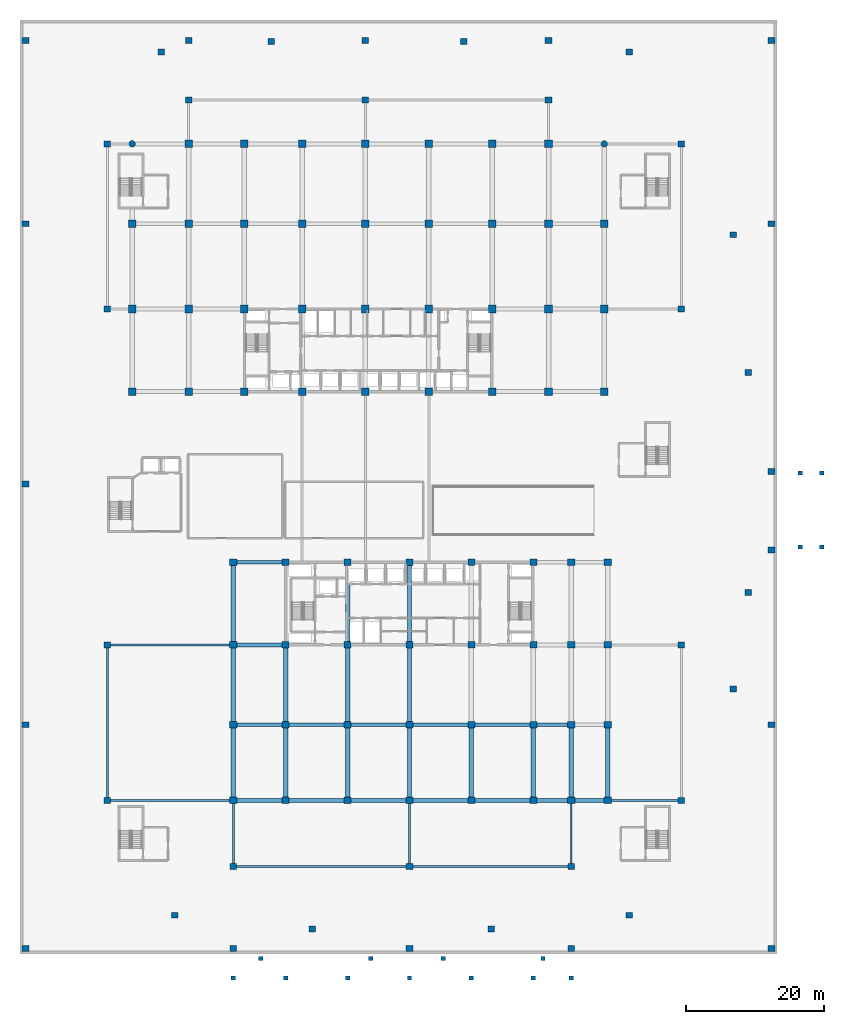
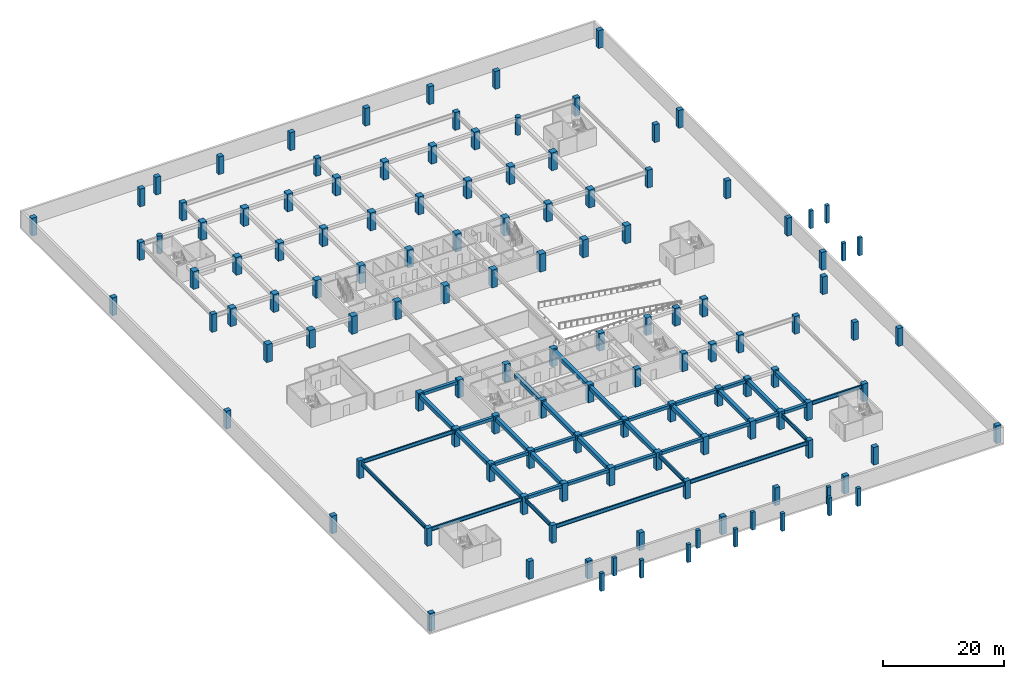
# One storey, part 1 of 22: 126 columns, 39 beams.
"""IFC4 building model written with IfcOpenShell, lengths in metres."""

from ifc_helpers import new_model, si_unit, direction, frame, origin, origin_2d, place, context, subcontext, project, spatial, rectangle, circle, i_section, extrude, material, material_profile, profile_set, type_object, element, save


model = new_model("IFC4")

# Units and contexts
model_context = context("Model", 3, precision=1e-05, world=origin(), true_north=direction((0.0, 1.0)))
body_context = subcontext(model_context, "Body", "Model", "MODEL_VIEW")
ifc_project = project(units=[si_unit("LENGTHUNIT", "METRE"), si_unit("AREAUNIT", "SQUARE_METRE"), si_unit("VOLUMEUNIT", "CUBIC_METRE"), si_unit("PLANEANGLEUNIT", "RADIAN"), si_unit("MASSUNIT", "GRAM", prefix="KILO")], contexts=[model_context])

# Site, building, storey
site_placement = place(None, origin())
site = spatial("IfcSite", under=ifc_project, at=site_placement, CompositionType="ELEMENT")
building_placement = place(site_placement, origin())
building = spatial("IfcBuilding", under=site, at=building_placement, Name="Korimba Cascade Residences", CompositionType="ELEMENT")
storey_placement = place(building_placement, frame((0.0, 0.0, -7.199951171875)))
storey = spatial("IfcBuildingStorey", under=building, at=storey_placement, Name="B02", CompositionType="ELEMENT", Elevation=-7.199951171875)

# Columns
ifc_material_1 = material(Name="Concrete C80/95", Category="concrete")
ifc_material_profile_1 = material_profile(ifc_material_1, rectangle(XDim=1.050048828125, YDim=0.949951171875, at=origin_2d()), Name="Concrete C80/95")
ifc_profile_set_1 = profile_set([ifc_material_profile_1], Name="Concrete C80/95")
column_type_1 = type_object("IfcColumnType", Name="COL-RC-1050", PredefinedType="COLUMN", material=ifc_profile_set_1)
for number, where, z_axis, x_axis, name in (
    (1, (74.5, -4.199951171875, 0.0), (0.0, 0.0, 1.0), (1.0, 0.0, 0.0), "B02 Tower 2 Column 1.1"),
    (2, (74.5, 6.800048828125, 0.0), (0.0, 0.0, 1.0), (1.0, 0.0, 0.0), "B02 Tower 2 Column 1.2"),
    (3, (74.5, 18.39990234375, 0.0), (0.0, 0.0, 1.0), (1.0, 0.0, 0.0), "B02 Tower 2 Column 1.3"),
    (4, (74.5, 30.39990234375, 0.0), (0.0, 0.0, 1.0), (1.0, 0.0, 0.0), "B02 Tower 2 Column 1.4"),
    (5, (82.10009765625, -4.199951171875, 0.0), (0.0, 0.0, 1.0), (1.0, 0.0, 0.0), "B02 Tower 2 Column 2.1"),
    (6, (82.10009765625, 6.800048828125, 0.0), (0.0, 0.0, 1.0), (1.0, 0.0, 0.0), "B02 Tower 2 Column 2.2"),
    (7, (82.10009765625, 18.39990234375, 0.0), (0.0, 0.0, 1.0), (1.0, 0.0, 0.0), "B02 Tower 2 Column 2.3"),
    (8, (82.10009765625, 30.39990234375, 0.0), (0.0, 0.0, 1.0), (1.0, 0.0, 0.0), "B02 Tower 2 Column 2.4"),
    (9, (91.10009765625, -4.199951171875, 0.0), (0.0, 0.0, 1.0), (1.0, 0.0, 0.0), "B02 Tower 2 Column 3.1"),
    (10, (91.10009765625, 6.800048828125, 0.0), (0.0, 0.0, 1.0), (1.0, 0.0, 0.0), "B02 Tower 2 Column 3.2"),
    (11, (91.10009765625, 18.39990234375, 0.0), (0.0, 0.0, 1.0), (1.0, 0.0, 0.0), "B02 Tower 2 Column 3.3"),
    (12, (91.10009765625, 30.39990234375, 0.0), (0.0, 0.0, 1.0), (1.0, 0.0, 0.0), "B02 Tower 2 Column 3.4"),
    (13, (100.10009765625, -4.199951171875, 0.0), (0.0, 0.0, 1.0), (1.0, 0.0, 0.0), "B02 Tower 2 Column 4.1"),
    (14, (100.10009765625, 6.800048828125, 0.0), (0.0, 0.0, 1.0), (1.0, 0.0, 0.0), "B02 Tower 2 Column 4.2"),
    (15, (100.10009765625, 18.39990234375, 0.0), (0.0, 0.0, 1.0), (1.0, 0.0, 0.0), "B02 Tower 2 Column 4.3"),
    (16, (100.10009765625, 30.39990234375, 0.0), (0.0, 0.0, 1.0), (1.0, 0.0, 0.0), "B02 Tower 2 Column 4.4"),
    (17, (109.10009765625, -4.199951171875, 0.0), (0.0, 0.0, 1.0), (1.0, 0.0, 0.0), "B02 Tower 2 Column 5.1"),
    (18, (109.10009765625, 6.800048828125, 0.0), (0.0, 0.0, 1.0), (1.0, 0.0, 0.0), "B02 Tower 2 Column 5.2"),
    (19, (109.10009765625, 18.39990234375, 0.0), (0.0, 0.0, 1.0), (1.0, 0.0, 0.0), "B02 Tower 2 Column 5.3"),
    (20, (109.10009765625, 30.39990234375, 0.0), (0.0, 0.0, 1.0), (1.0, 0.0, 0.0), "B02 Tower 2 Column 5.4"),
    (21, (118.10009765625, -4.199951171875, 0.0), (0.0, 0.0, 1.0), (1.0, 0.0, 0.0), "B02 Tower 2 Column 6.1"),
    (22, (118.10009765625, 6.800048828125, 0.0), (0.0, 0.0, 1.0), (1.0, 0.0, 0.0), "B02 Tower 2 Column 6.2"),
    (23, (118.10009765625, 18.39990234375, 0.0), (0.0, 0.0, 1.0), (1.0, 0.0, 0.0), "B02 Tower 2 Column 6.3"),
    (24, (118.10009765625, 30.39990234375, 0.0), (0.0, 0.0, 1.0), (1.0, 0.0, 0.0), "B02 Tower 2 Column 6.4"),
    (25, (123.60009765625, -4.199951171875, 0.0), (0.0, 0.0, 1.0), (1.0, 0.0, 0.0), "B02 Tower 2 Column 7.1"),
    (26, (123.60009765625, 6.800048828125, 0.0), (0.0, 0.0, 1.0), (1.0, 0.0, 0.0), "B02 Tower 2 Column 7.2"),
    (27, (123.60009765625, 18.39990234375, 0.0), (0.0, 0.0, 1.0), (1.0, 0.0, 0.0), "B02 Tower 2 Column 7.3"),
    (28, (123.60009765625, 30.39990234375, 0.0), (0.0, 0.0, 1.0), (1.0, 0.0, 0.0), "B02 Tower 2 Column 7.4"),
    (29, (128.89990234375, -4.199951171875, 0.0), (0.0, 0.0, 1.0), (1.0, 0.0, 0.0), "B02 Tower 2 Column 8.1"),
    (30, (128.89990234375, 6.800048828125, 0.0), (0.0, 0.0, 1.0), (1.0, 0.0, 0.0), "B02 Tower 2 Column 8.2"),
    (31, (128.89990234375, 18.39990234375, 0.0), (0.0, 0.0, 1.0), (1.0, 0.0, 0.0), "B02 Tower 2 Column 8.3"),
    (32, (128.89990234375, 30.39990234375, 0.0), (0.0, 0.0, 1.0), (1.0, 0.0, 0.0), "B02 Tower 2 Column 8.4"),
):
    element("IfcColumn", number, at=place(storey_placement, frame(where, z_axis=z_axis, x_axis=x_axis)), inside=storey, type_object=column_type_1, Name=name, PredefinedType="COLUMN", context=body_context, shape_type="SweptSolid", body=[
        extrude(rectangle(XDim=1.050048828125, YDim=0.949951171875, at=origin_2d()), origin(), (0.0, 0.0, 1.0), 3.599853515625),
    ])
ifc_material_profile_2 = material_profile(ifc_material_1, rectangle(XDim=1.10009765625, YDim=1.10009765625, at=origin_2d()), Name="Concrete C80/95")
ifc_profile_set_2 = profile_set([ifc_material_profile_2], Name="Concrete C80/95")
column_type_2 = type_object("IfcColumnType", Name="COL-RC-1100", PredefinedType="COLUMN", material=ifc_profile_set_2)
for number, where, z_axis, x_axis, name in (
    (33, (59.800048828125, 55.199951171875, 0.0), (0.0, 0.0, 1.0), (1.0, 0.0, 0.0), "B02 Tower 1 Column 1.1"),
    (34, (59.800048828125, 67.199951171875, 0.0), (0.0, 0.0, 1.0), (1.0, 0.0, 0.0), "B02 Tower 1 Column 1.2"),
    (35, (59.800048828125, 79.60009765625, 0.0), (0.0, 0.0, 1.0), (1.0, 0.0, 0.0), "B02 Tower 1 Column 1.3"),
    (36, (68.0, 55.199951171875, 0.0), (0.0, 0.0, 1.0), (1.0, 0.0, 0.0), "B02 Tower 1 Column 2.1"),
    (37, (68.0, 67.199951171875, 0.0), (0.0, 0.0, 1.0), (1.0, 0.0, 0.0), "B02 Tower 1 Column 2.2"),
    (38, (68.0, 79.60009765625, 0.0), (0.0, 0.0, 1.0), (1.0, 0.0, 0.0), "B02 Tower 1 Column 2.3"),
    (39, (68.0, 91.199951171875, 0.0), (0.0, 0.0, 1.0), (1.0, 0.0, 0.0), "B02 Tower 1 Column 2.4"),
    (40, (76.10009765625, 55.199951171875, 0.0), (0.0, 0.0, 1.0), (1.0, 0.0, 0.0), "B02 Tower 1 Column 3.1"),
    (41, (76.10009765625, 67.199951171875, 0.0), (0.0, 0.0, 1.0), (1.0, 0.0, 0.0), "B02 Tower 1 Column 3.2"),
    (42, (76.10009765625, 79.60009765625, 0.0), (0.0, 0.0, 1.0), (1.0, 0.0, 0.0), "B02 Tower 1 Column 3.3"),
    (43, (76.10009765625, 91.199951171875, 0.0), (0.0, 0.0, 1.0), (1.0, 0.0, 0.0), "B02 Tower 1 Column 3.4"),
    (44, (84.5, 55.199951171875, 0.0), (0.0, 0.0, 1.0), (1.0, 0.0, 0.0), "B02 Tower 1 Column 4.1"),
    (45, (84.5, 67.199951171875, 0.0), (0.0, 0.0, 1.0), (1.0, 0.0, 0.0), "B02 Tower 1 Column 4.2"),
    (46, (84.5, 79.60009765625, 0.0), (0.0, 0.0, 1.0), (1.0, 0.0, 0.0), "B02 Tower 1 Column 4.3"),
    (47, (84.5, 91.199951171875, 0.0), (0.0, 0.0, 1.0), (1.0, 0.0, 0.0), "B02 Tower 1 Column 4.4"),
    (48, (93.699951171875, 55.199951171875, 0.0), (0.0, 0.0, 1.0), (1.0, 0.0, 0.0), "B02 Tower 1 Column 5.1"),
    (49, (93.699951171875, 67.199951171875, 0.0), (0.0, 0.0, 1.0), (1.0, 0.0, 0.0), "B02 Tower 1 Column 5.2"),
    (50, (93.699951171875, 79.60009765625, 0.0), (0.0, 0.0, 1.0), (1.0, 0.0, 0.0), "B02 Tower 1 Column 5.3"),
    (51, (93.699951171875, 91.199951171875, 0.0), (0.0, 0.0, 1.0), (1.0, 0.0, 0.0), "B02 Tower 1 Column 5.4"),
    (52, (102.89990234375, 55.199951171875, 0.0), (0.0, 0.0, 1.0), (1.0, 0.0, 0.0), "B02 Tower 1 Column 6.1"),
    (53, (102.89990234375, 67.199951171875, 0.0), (0.0, 0.0, 1.0), (1.0, 0.0, 0.0), "B02 Tower 1 Column 6.2"),
    (54, (102.89990234375, 79.60009765625, 0.0), (0.0, 0.0, 1.0), (1.0, 0.0, 0.0), "B02 Tower 1 Column 6.3"),
    (55, (102.89990234375, 91.199951171875, 0.0), (0.0, 0.0, 1.0), (1.0, 0.0, 0.0), "B02 Tower 1 Column 6.4"),
    (56, (112.10009765625, 55.199951171875, 0.0), (0.0, 0.0, 1.0), (1.0, 0.0, 0.0), "B02 Tower 1 Column 7.1"),
    (57, (112.10009765625, 67.199951171875, 0.0), (0.0, 0.0, 1.0), (1.0, 0.0, 0.0), "B02 Tower 1 Column 7.2"),
    (58, (112.10009765625, 79.60009765625, 0.0), (0.0, 0.0, 1.0), (1.0, 0.0, 0.0), "B02 Tower 1 Column 7.3"),
    (59, (112.10009765625, 91.199951171875, 0.0), (0.0, 0.0, 1.0), (1.0, 0.0, 0.0), "B02 Tower 1 Column 7.4"),
    (60, (120.300048828125, 55.199951171875, 0.0), (0.0, 0.0, 1.0), (1.0, 0.0, 0.0), "B02 Tower 1 Column 8.1"),
    (61, (120.300048828125, 67.199951171875, 0.0), (0.0, 0.0, 1.0), (1.0, 0.0, 0.0), "B02 Tower 1 Column 8.2"),
    (62, (120.300048828125, 79.60009765625, 0.0), (0.0, 0.0, 1.0), (1.0, 0.0, 0.0), "B02 Tower 1 Column 8.3"),
    (63, (120.300048828125, 91.199951171875, 0.0), (0.0, 0.0, 1.0), (1.0, 0.0, 0.0), "B02 Tower 1 Column 8.4"),
    (64, (128.39990234375, 55.199951171875, 0.0), (0.0, 0.0, 1.0), (1.0, 0.0, 0.0), "B02 Tower 1 Column 9.1"),
    (65, (128.39990234375, 67.199951171875, 0.0), (0.0, 0.0, 1.0), (1.0, 0.0, 0.0), "B02 Tower 1 Column 9.2"),
    (66, (128.39990234375, 79.60009765625, 0.0), (0.0, 0.0, 1.0), (1.0, 0.0, 0.0), "B02 Tower 1 Column 9.3"),
):
    element("IfcColumn", number, at=place(storey_placement, frame(where, z_axis=z_axis, x_axis=x_axis)), inside=storey, type_object=column_type_2, Name=name, PredefinedType="COLUMN", context=body_context, shape_type="SweptSolid", body=[
        extrude(rectangle(XDim=1.10009765625, YDim=1.10009765625, at=origin_2d()), origin(), (0.0, 0.0, 1.0), 3.599853515625),
    ])
ifc_material_2 = material(Name="Concrete C50/60", Category="concrete")
ifc_material_profile_3 = material_profile(ifc_material_2, rectangle(XDim=0.64990234375, YDim=0.60009765625, at=origin_2d()), Name="Concrete C50/60")
ifc_profile_set_3 = profile_set([ifc_material_profile_3], Name="Concrete C50/60")
column_type_3 = type_object("IfcColumnType", Name="COL-RC-650", PredefinedType="COLUMN", material=ifc_profile_set_3)
for number, where, z_axis, x_axis, name in (
    (67, (74.5, -30.0, 0.0), (0.0, 0.0, 1.0), (1.0, 0.0, 0.0), "B02 Porte-Cochere Sub-Pier 1"),
    (68, (82.10009765625, -30.0, 0.0), (0.0, 0.0, 1.0), (1.0, 0.0, 0.0), "B02 Porte-Cochere Sub-Pier 2"),
    (69, (91.10009765625, -30.0, 0.0), (0.0, 0.0, 1.0), (1.0, 0.0, 0.0), "B02 Porte-Cochere Sub-Pier 3"),
    (70, (100.10009765625, -30.0, 0.0), (0.0, 0.0, 1.0), (1.0, 0.0, 0.0), "B02 Porte-Cochere Sub-Pier 4"),
    (71, (109.10009765625, -30.0, 0.0), (0.0, 0.0, 1.0), (1.0, 0.0, 0.0), "B02 Porte-Cochere Sub-Pier 5"),
    (72, (118.10009765625, -30.0, 0.0), (0.0, 0.0, 1.0), (1.0, 0.0, 0.0), "B02 Porte-Cochere Sub-Pier 6"),
    (73, (123.60009765625, -30.0, 0.0), (0.0, 0.0, 1.0), (1.0, 0.0, 0.0), "B02 Porte-Cochere Sub-Pier 7"),
    (74, (156.89990234375, 32.60009765625, 0.0), (0.0, 0.0, 1.0), (1.0, 0.0, 0.0), "B02 Plaza Sub-Pier APR1"),
    (75, (156.89990234375, 43.39990234375, 0.0), (0.0, 0.0, 1.0), (1.0, 0.0, 0.0), "B02 Plaza Sub-Pier APR2"),
    (76, (160.0, 32.60009765625, 0.0), (0.0, 0.0, 1.0), (1.0, 0.0, 0.0), "B02 Plaza Sub-Pier APR3"),
    (77, (160.0, 43.39990234375, 0.0), (0.0, 0.0, 1.0), (1.0, 0.0, 0.0), "B02 Plaza Sub-Pier APR4"),
    (78, (78.5, -27.199951171875, 0.0), (0.0, 0.0, 1.0), (1.0, 0.0, 0.0), "B02 Plaza Sub-Pier PLZS1A"),
    (79, (94.5, -27.199951171875, 0.0), (0.0, 0.0, 1.0), (1.0, 0.0, 0.0), "B02 Plaza Sub-Pier PLZS1B"),
    (80, (105.0, -27.199951171875, 0.0), (0.0, 0.0, 1.0), (1.0, 0.0, 0.0), "B02 Plaza Sub-Pier PLZS2A"),
    (81, (119.5, -27.199951171875, 0.0), (0.0, 0.0, 1.0), (1.0, 0.0, 0.0), "B02 Plaza Sub-Pier PLZS2B"),
):
    element("IfcColumn", number, at=place(storey_placement, frame(where, z_axis=z_axis, x_axis=x_axis)), inside=storey, type_object=column_type_3, Name=name, PredefinedType="COLUMN", context=body_context, shape_type="SweptSolid", body=[
        extrude(rectangle(XDim=0.64990234375, YDim=0.60009765625, at=origin_2d()), origin(), (0.0, 0.0, 1.0), 3.599853515625),
    ])
ifc_material_3 = material(Name="Concrete C65/80", Category="concrete")
ifc_material_profile_4 = material_profile(ifc_material_3, rectangle(XDim=0.949951171875, YDim=0.85009765625, at=origin_2d()), Name="Concrete C65/80")
ifc_profile_set_4 = profile_set([ifc_material_profile_4], Name="Concrete C65/80")
column_type_4 = type_object("IfcColumnType", Name="COL-RC-950", PredefinedType="COLUMN", material=ifc_profile_set_4)
for number, where, z_axis, x_axis, name in (
    (82, (56.199951171875, -4.199951171875, 0.0), (0.0, 0.0, 1.0), (1.0, 0.0, 0.0), "B02 Podium Column PCW1"),
    (83, (56.199951171875, 18.39990234375, 0.0), (0.0, 0.0, 1.0), (1.0, 0.0, 0.0), "B02 Podium Column PCW2"),
    (84, (56.199951171875, 67.199951171875, 0.0), (0.0, 0.0, 1.0), (1.0, 0.0, 0.0), "B02 Podium Column PCW3"),
    (85, (56.199951171875, 91.199951171875, 0.0), (0.0, 0.0, 1.0), (1.0, 0.0, 0.0), "B02 Podium Column PCW4"),
    (86, (139.60009765625, -4.199951171875, 0.0), (0.0, 0.0, 1.0), (1.0, 0.0, 0.0), "B02 Podium Column PCE1"),
    (87, (139.60009765625, 18.39990234375, 0.0), (0.0, 0.0, 1.0), (1.0, 0.0, 0.0), "B02 Podium Column PCE2"),
    (88, (139.60009765625, 67.199951171875, 0.0), (0.0, 0.0, 1.0), (1.0, 0.0, 0.0), "B02 Podium Column PCE3"),
    (89, (139.60009765625, 91.199951171875, 0.0), (0.0, 0.0, 1.0), (1.0, 0.0, 0.0), "B02 Podium Column PCE4"),
    (90, (74.5, -13.800048828125, 0.0), (0.0, 0.0, 1.0), (1.0, 0.0, 0.0), "B02 Podium Column PCS1"),
    (91, (100.10009765625, -13.800048828125, 0.0), (0.0, 0.0, 1.0), (1.0, 0.0, 0.0), "B02 Podium Column PCS2"),
    (92, (123.60009765625, -13.800048828125, 0.0), (0.0, 0.0, 1.0), (1.0, 0.0, 0.0), "B02 Podium Column PCS3"),
    (93, (68.0, 97.60009765625, 0.0), (0.0, 0.0, 1.0), (1.0, 0.0, 0.0), "B02 Podium Column PCN1"),
    (94, (93.699951171875, 97.60009765625, 0.0), (0.0, 0.0, 1.0), (1.0, 0.0, 0.0), "B02 Podium Column PCN2"),
    (95, (120.300048828125, 97.60009765625, 0.0), (0.0, 0.0, 1.0), (1.0, 0.0, 0.0), "B02 Podium Column PCN3"),
    (96, (86.0, -22.89990234375, 0.0), (0.0, 0.0, 1.0), (1.0, 0.0, 0.0), "B02 Podium Column PTS1"),
    (97, (112.0, -22.89990234375, 0.0), (0.0, 0.0, 1.0), (1.0, 0.0, 0.0), "B02 Podium Column PTS2"),
    (98, (66.0, -20.89990234375, 0.0), (0.0, 0.0, 1.0), (1.0, 0.0, 0.0), "B02 Podium Column PTS3"),
    (99, (132.0, -20.89990234375, 0.0), (0.0, 0.0, 1.0), (1.0, 0.0, 0.0), "B02 Podium Column PTS4"),
    (100, (80.0, 106.10009765625, 0.0), (0.0, 0.0, 1.0), (1.0, 0.0, 0.0), "B02 Podium Column PTN1"),
    (101, (108.0, 106.10009765625, 0.0), (0.0, 0.0, 1.0), (1.0, 0.0, 0.0), "B02 Podium Column PTN2"),
    (102, (64.0, 104.550048828125, 0.0), (0.0, 0.0, 1.0), (1.0, 0.0, 0.0), "B02 Podium Column PTN3"),
    (103, (132.0, 104.550048828125, 0.0), (0.0, 0.0, 1.0), (1.0, 0.0, 0.0), "B02 Podium Column PTN4"),
    (104, (149.300048828125, 26.0, 0.0), (0.0, 0.0, 1.0), (1.0, 0.0, 0.0), "B02 Podium Column PTE1"),
    (105, (149.300048828125, 58.0, 0.0), (0.0, 0.0, 1.0), (1.0, 0.0, 0.0), "B02 Podium Column PTE2"),
    (106, (147.14990234375, 12.0, 0.0), (0.0, 0.0, 1.0), (1.0, 0.0, 0.0), "B02 Podium Column PTE3"),
    (107, (147.14990234375, 78.0, 0.0), (0.0, 0.0, 1.0), (1.0, 0.0, 0.0), "B02 Podium Column PTE4"),
    (108, (44.300048828125, -25.699951171875, 0.0), (0.0, 0.0, 1.0), (1.0, 0.0, 0.0), "B02 Podium Column PLW1"),
    (109, (44.300048828125, 6.800048828125, 0.0), (0.0, 0.0, 1.0), (1.0, 0.0, 0.0), "B02 Podium Column PLW2"),
    (110, (44.300048828125, 41.800048828125, 0.0), (0.0, 0.0, 1.0), (1.0, 0.0, 0.0), "B02 Podium Column PLW3"),
    (111, (44.300048828125, 79.60009765625, 0.0), (0.0, 0.0, 1.0), (1.0, 0.0, 0.0), "B02 Podium Column PLW4"),
    (112, (44.300048828125, 106.199951171875, 0.0), (0.0, 0.0, 1.0), (1.0, 0.0, 0.0), "B02 Podium Column PLW5"),
    (113, (152.699951171875, -25.699951171875, 0.0), (0.0, 0.0, 1.0), (1.0, 0.0, 0.0), "B02 Podium Column PLE1"),
    (114, (152.699951171875, 6.800048828125, 0.0), (0.0, 0.0, 1.0), (1.0, 0.0, 0.0), "B02 Podium Column PLE2"),
    (115, (152.699951171875, 32.199951171875, 0.0), (0.0, 0.0, 1.0), (1.0, 0.0, 0.0), "B02 Podium Column PLE3"),
    (116, (152.699951171875, 43.60009765625, 0.0), (0.0, 0.0, 1.0), (1.0, 0.0, 0.0), "B02 Podium Column PLE4"),
    (117, (152.699951171875, 79.60009765625, 0.0), (0.0, 0.0, 1.0), (1.0, 0.0, 0.0), "B02 Podium Column PLE5"),
    (118, (152.699951171875, 106.199951171875, 0.0), (0.0, 0.0, 1.0), (1.0, 0.0, 0.0), "B02 Podium Column PLE6"),
    (119, (74.5, -25.699951171875, 0.0), (0.0, 0.0, 1.0), (1.0, 0.0, 0.0), "B02 Podium Column PLS1"),
    (120, (100.10009765625, -25.699951171875, 0.0), (0.0, 0.0, 1.0), (1.0, 0.0, 0.0), "B02 Podium Column PLS2"),
    (121, (123.60009765625, -25.699951171875, 0.0), (0.0, 0.0, 1.0), (1.0, 0.0, 0.0), "B02 Podium Column PLS3"),
    (122, (68.0, 106.199951171875, 0.0), (0.0, 0.0, 1.0), (1.0, 0.0, 0.0), "B02 Podium Column PLN1"),
    (123, (93.699951171875, 106.199951171875, 0.0), (0.0, 0.0, 1.0), (1.0, 0.0, 0.0), "B02 Podium Column PLN2"),
    (124, (120.300048828125, 106.199951171875, 0.0), (0.0, 0.0, 1.0), (1.0, 0.0, 0.0), "B02 Podium Column PLN3"),
):
    element("IfcColumn", number, at=place(storey_placement, frame(where, z_axis=z_axis, x_axis=x_axis)), inside=storey, type_object=column_type_4, Name=name, PredefinedType="COLUMN", context=body_context, shape_type="SweptSolid", body=[
        extrude(rectangle(XDim=0.949951171875, YDim=0.85009765625, at=origin_2d()), origin(), (0.0, 0.0, 1.0), 3.599853515625),
    ])
ifc_material_profile_5 = material_profile(ifc_material_1, circle(Radius=0.47509765625, at=origin_2d()), Name="Concrete C80/95")
ifc_profile_set_5 = profile_set([ifc_material_profile_5], Name="Concrete C80/95")
column_type_5 = type_object("IfcColumnType", Name="COL-RC-D950", PredefinedType="COLUMN", material=ifc_profile_set_5)
for number, where, z_axis, x_axis, name in (
    (125, (59.800048828125, 91.199951171875, 0.0), (0.0, 0.0, 1.0), (1.0, 0.0, 0.0), "B02 Tower 1 Column 1.4"),
    (126, (128.39990234375, 91.199951171875, 0.0), (0.0, 0.0, 1.0), (1.0, 0.0, 0.0), "B02 Tower 1 Column 9.4"),
):
    element("IfcColumn", number, at=place(storey_placement, frame(where, z_axis=z_axis, x_axis=x_axis)), inside=storey, type_object=column_type_5, Name=name, PredefinedType="COLUMN", context=body_context, shape_type="SweptSolid", body=[
        extrude(circle(Radius=0.47509765625, at=origin_2d()), origin(), (0.0, 0.0, 1.0), 3.599853515625),
    ])

# Beams
ifc_material_profile_6 = material_profile(ifc_material_2, rectangle(XDim=0.550048828125, YDim=0.60009765625, at=origin_2d()), Name="Concrete C50/60")
ifc_profile_set_6 = profile_set([ifc_material_profile_6], Name="Concrete C50/60")
beam_type_1 = type_object("IfcBeamType", Name="BM-RC-B600", PredefinedType="BEAM", material=ifc_profile_set_6)
beam_1_placement = place(storey_placement, frame((75.02490234375, -4.199951171875, 3.0), z_axis=(1.0, 0.0, 0.0), x_axis=(0.0, 1.0, 0.0)))
element("IfcBeam", 127, at=beam_1_placement, inside=storey, type_object=beam_type_1, Name="B02 T2 E-W Girder Y1 Bay 1", PredefinedType="BEAM", context=body_context, shape_type="SweptSolid", body=[
    extrude(rectangle(XDim=0.550048828125, YDim=0.60009765625, at=origin_2d()), origin(), (0.0, 0.0, 1.0), 6.550048828125),
])
for number, where, z_axis, x_axis, name in (
    (128, (82.625, -4.199951171875, 3.0), (1.0, 0.0, 0.0), (0.0, 1.0, 0.0), "B02 T2 E-W Girder Y1 Bay 2"),
    (129, (91.625, -4.199951171875, 3.0), (1.0, 0.0, 0.0), (0.0, 1.0, 0.0), "B02 T2 E-W Girder Y1 Bay 3"),
    (130, (100.625, -4.199951171875, 3.0), (1.0, 0.0, 0.0), (0.0, 1.0, 0.0), "B02 T2 E-W Girder Y1 Bay 4"),
    (131, (109.625, -4.199951171875, 3.0), (1.0, 0.0, 0.0), (0.0, 1.0, 0.0), "B02 T2 E-W Girder Y1 Bay 5"),
):
    element("IfcBeam", number, at=place(storey_placement, frame(where, z_axis=z_axis, x_axis=x_axis)), inside=storey, type_object=beam_type_1, Name=name, PredefinedType="BEAM", context=body_context, shape_type="SweptSolid", body=[
        extrude(rectangle(XDim=0.550048828125, YDim=0.60009765625, at=origin_2d()), origin(), (0.0, 0.0, 1.0), 7.949951171875),
    ])
beam_2_placement = place(storey_placement, frame((118.625, -4.199951171875, 3.0), z_axis=(1.0, 0.0, 0.0), x_axis=(0.0, 1.0, 0.0)))
element("IfcBeam", 132, at=beam_2_placement, inside=storey, type_object=beam_type_1, Name="B02 T2 E-W Girder Y1 Bay 6", PredefinedType="BEAM", context=body_context, shape_type="SweptSolid", body=[
    extrude(rectangle(XDim=0.550048828125, YDim=0.60009765625, at=origin_2d()), origin(), (0.0, 0.0, 1.0), 4.449951171875),
])
beam_3_placement = place(storey_placement, frame((124.125, -4.199951171875, 3.0), z_axis=(1.0, 0.0, 0.0), x_axis=(0.0, 1.0, 0.0)))
element("IfcBeam", 133, at=beam_3_placement, inside=storey, type_object=beam_type_1, Name="B02 T2 E-W Girder Y1 Bay 7", PredefinedType="BEAM", context=body_context, shape_type="SweptSolid", body=[
    extrude(rectangle(XDim=0.550048828125, YDim=0.60009765625, at=origin_2d()), origin(), (0.0, 0.0, 1.0), 4.25),
])
beam_4_placement = place(storey_placement, frame((75.02490234375, 6.800048828125, 3.0), z_axis=(1.0, 0.0, 0.0), x_axis=(0.0, 1.0, 0.0)))
element("IfcBeam", 134, at=beam_4_placement, inside=storey, type_object=beam_type_1, Name="B02 T2 E-W Girder Y2 Bay 1", PredefinedType="BEAM", context=body_context, shape_type="SweptSolid", body=[
    extrude(rectangle(XDim=0.550048828125, YDim=0.60009765625, at=origin_2d()), origin(), (0.0, 0.0, 1.0), 6.550048828125),
])
for number, where, z_axis, x_axis, name in (
    (135, (82.625, 6.800048828125, 3.0), (1.0, 0.0, 0.0), (0.0, 1.0, 0.0), "B02 T2 E-W Girder Y2 Bay 2"),
    (136, (91.625, 6.800048828125, 3.0), (1.0, 0.0, 0.0), (0.0, 1.0, 0.0), "B02 T2 E-W Girder Y2 Bay 3"),
    (137, (100.625, 6.800048828125, 3.0), (1.0, 0.0, 0.0), (0.0, 1.0, 0.0), "B02 T2 E-W Girder Y2 Bay 4"),
    (138, (109.625, 6.800048828125, 3.0), (1.0, 0.0, 0.0), (0.0, 1.0, 0.0), "B02 T2 E-W Girder Y2 Bay 5"),
):
    element("IfcBeam", number, at=place(storey_placement, frame(where, z_axis=z_axis, x_axis=x_axis)), inside=storey, type_object=beam_type_1, Name=name, PredefinedType="BEAM", context=body_context, shape_type="SweptSolid", body=[
        extrude(rectangle(XDim=0.550048828125, YDim=0.60009765625, at=origin_2d()), origin(), (0.0, 0.0, 1.0), 7.949951171875),
    ])
beam_5_placement = place(storey_placement, frame((118.625, 6.800048828125, 3.0), z_axis=(1.0, 0.0, 0.0), x_axis=(0.0, 1.0, 0.0)))
element("IfcBeam", 139, at=beam_5_placement, inside=storey, type_object=beam_type_1, Name="B02 T2 E-W Girder Y2 Bay 6", PredefinedType="BEAM", context=body_context, shape_type="SweptSolid", body=[
    extrude(rectangle(XDim=0.550048828125, YDim=0.60009765625, at=origin_2d()), origin(), (0.0, 0.0, 1.0), 4.449951171875),
])
for number, where, z_axis, x_axis, name in (
    (140, (75.02490234375, 18.39990234375, 3.0), (1.0, 0.0, 0.0), (0.0, 1.0, 0.0), "B02 T2 E-W Girder Y3 Bay 1"),
    (141, (75.02490234375, 30.39990234375, 3.0), (1.0, 0.0, 0.0), (0.0, 1.0, 0.0), "B02 T2 E-W Girder Y4 Bay 1"),
):
    element("IfcBeam", number, at=place(storey_placement, frame(where, z_axis=z_axis, x_axis=x_axis)), inside=storey, type_object=beam_type_1, Name=name, PredefinedType="BEAM", context=body_context, shape_type="SweptSolid", body=[
        extrude(rectangle(XDim=0.550048828125, YDim=0.60009765625, at=origin_2d()), origin(), (0.0, 0.0, 1.0), 6.550048828125),
    ])
ifc_material_profile_7 = material_profile(ifc_material_2, rectangle(XDim=0.64990234375, YDim=0.75, at=origin_2d()), Name="Concrete C50/60")
ifc_profile_set_7 = profile_set([ifc_material_profile_7], Name="Concrete C50/60")
beam_type_2 = type_object("IfcBeamType", Name="BM-RC-G750", PredefinedType="BEAM", material=ifc_profile_set_7)
beam_6_placement = place(storey_placement, frame((74.5, -3.72509765625, 2.925048828125), z_axis=(0.0, 1.0, 0.0), x_axis=(-1.0, 0.0, 0.0)))
element("IfcBeam", 142, at=beam_6_placement, inside=storey, type_object=beam_type_2, Name="B02 T2 N-S Girder X1 Seg 1", PredefinedType="BEAM", context=body_context, shape_type="SweptSolid", body=[
    extrude(rectangle(XDim=0.64990234375, YDim=0.75, at=origin_2d()), origin(), (0.0, 0.0, 1.0), 10.050048828125),
])
beam_7_placement = place(storey_placement, frame((74.5, 7.27490234375, 2.925048828125), z_axis=(0.0, 1.0, 0.0), x_axis=(-1.0, 0.0, 0.0)))
element("IfcBeam", 143, at=beam_7_placement, inside=storey, type_object=beam_type_2, Name="B02 T2 N-S Girder X1 Seg 2", PredefinedType="BEAM", context=body_context, shape_type="SweptSolid", body=[
    extrude(rectangle(XDim=0.64990234375, YDim=0.75, at=origin_2d()), origin(), (0.0, 0.0, 1.0), 10.650146484375),
])
beam_8_placement = place(storey_placement, frame((74.5, 18.875, 2.925048828125), z_axis=(0.0, 1.0, 0.0), x_axis=(-1.0, 0.0, 0.0)))
element("IfcBeam", 144, at=beam_8_placement, inside=storey, type_object=beam_type_2, Name="B02 T2 N-S Girder X1 Seg 3", PredefinedType="BEAM", context=body_context, shape_type="SweptSolid", body=[
    extrude(rectangle(XDim=0.64990234375, YDim=0.75, at=origin_2d()), origin(), (0.0, 0.0, 1.0), 11.050048828125),
])
beam_9_placement = place(storey_placement, frame((82.10009765625, -3.72509765625, 2.925048828125), z_axis=(0.0, 1.0, 0.0), x_axis=(-1.0, 0.0, 0.0)))
element("IfcBeam", 145, at=beam_9_placement, inside=storey, type_object=beam_type_2, Name="B02 T2 N-S Girder X2 Seg 1", PredefinedType="BEAM", context=body_context, shape_type="SweptSolid", body=[
    extrude(rectangle(XDim=0.64990234375, YDim=0.75, at=origin_2d()), origin(), (0.0, 0.0, 1.0), 10.050048828125),
])
beam_10_placement = place(storey_placement, frame((82.10009765625, 7.27490234375, 2.925048828125), z_axis=(0.0, 1.0, 0.0), x_axis=(-1.0, 0.0, 0.0)))
element("IfcBeam", 146, at=beam_10_placement, inside=storey, type_object=beam_type_2, Name="B02 T2 N-S Girder X2 Seg 2", PredefinedType="BEAM", context=body_context, shape_type="SweptSolid", body=[
    extrude(rectangle(XDim=0.64990234375, YDim=0.75, at=origin_2d()), origin(), (0.0, 0.0, 1.0), 10.650146484375),
])
beam_11_placement = place(storey_placement, frame((91.10009765625, -3.72509765625, 2.925048828125), z_axis=(0.0, 1.0, 0.0), x_axis=(-1.0, 0.0, 0.0)))
element("IfcBeam", 147, at=beam_11_placement, inside=storey, type_object=beam_type_2, Name="B02 T2 N-S Girder X3 Seg 1", PredefinedType="BEAM", context=body_context, shape_type="SweptSolid", body=[
    extrude(rectangle(XDim=0.64990234375, YDim=0.75, at=origin_2d()), origin(), (0.0, 0.0, 1.0), 10.050048828125),
])
beam_12_placement = place(storey_placement, frame((91.10009765625, 7.27490234375, 2.925048828125), z_axis=(0.0, 1.0, 0.0), x_axis=(-1.0, 0.0, 0.0)))
element("IfcBeam", 148, at=beam_12_placement, inside=storey, type_object=beam_type_2, Name="B02 T2 N-S Girder X3 Seg 2", PredefinedType="BEAM", context=body_context, shape_type="SweptSolid", body=[
    extrude(rectangle(XDim=0.64990234375, YDim=0.75, at=origin_2d()), origin(), (0.0, 0.0, 1.0), 10.650146484375),
])
beam_13_placement = place(storey_placement, frame((91.10009765625, 18.875, 2.925048828125), z_axis=(0.0, 1.0, 0.0), x_axis=(-1.0, 0.0, 0.0)))
element("IfcBeam", 149, at=beam_13_placement, inside=storey, type_object=beam_type_2, Name="B02 T2 N-S Girder X3 Seg 3", PredefinedType="BEAM", context=body_context, shape_type="SweptSolid", body=[
    extrude(rectangle(XDim=0.64990234375, YDim=0.75, at=origin_2d()), origin(), (0.0, 0.0, 1.0), 8.465087890625),
])
beam_14_placement = place(storey_placement, frame((100.10009765625, -3.72509765625, 2.925048828125), z_axis=(0.0, 1.0, 0.0), x_axis=(-1.0, 0.0, 0.0)))
element("IfcBeam", 150, at=beam_14_placement, inside=storey, type_object=beam_type_2, Name="B02 T2 N-S Girder X4 Seg 1", PredefinedType="BEAM", context=body_context, shape_type="SweptSolid", body=[
    extrude(rectangle(XDim=0.64990234375, YDim=0.75, at=origin_2d()), origin(), (0.0, 0.0, 1.0), 10.050048828125),
])
beam_15_placement = place(storey_placement, frame((100.10009765625, 7.27490234375, 2.925048828125), z_axis=(0.0, 1.0, 0.0), x_axis=(-1.0, 0.0, 0.0)))
element("IfcBeam", 151, at=beam_15_placement, inside=storey, type_object=beam_type_2, Name="B02 T2 N-S Girder X4 Seg 2", PredefinedType="BEAM", context=body_context, shape_type="SweptSolid", body=[
    extrude(rectangle(XDim=0.64990234375, YDim=0.75, at=origin_2d()), origin(), (0.0, 0.0, 1.0), 10.650146484375),
])
beam_16_placement = place(storey_placement, frame((100.10009765625, 18.875, 2.925048828125), z_axis=(0.0, 1.0, 0.0), x_axis=(-1.0, 0.0, 0.0)))
element("IfcBeam", 152, at=beam_16_placement, inside=storey, type_object=beam_type_2, Name="B02 T2 N-S Girder X4 Seg 3", PredefinedType="BEAM", context=body_context, shape_type="SweptSolid", body=[
    extrude(rectangle(XDim=0.64990234375, YDim=0.75, at=origin_2d()), origin(), (0.0, 0.0, 1.0), 11.050048828125),
])
for number, where, z_axis, x_axis, name in (
    (153, (109.10009765625, -3.72509765625, 2.925048828125), (0.0, 1.0, 0.0), (-1.0, 0.0, 0.0), "B02 T2 N-S Girder X5 Seg 1"),
    (154, (118.10009765625, -3.72509765625, 2.925048828125), (0.0, 1.0, 0.0), (-1.0, 0.0, 0.0), "B02 T2 N-S Girder X6 Seg 1"),
    (155, (123.60009765625, -3.72509765625, 2.925048828125), (0.0, 1.0, 0.0), (-1.0, 0.0, 0.0), "B02 T2 N-S Girder X7 Seg 1"),
    (156, (128.89990234375, -3.72509765625, 2.925048828125), (0.0, 1.0, 0.0), (-1.0, 0.0, 0.0), "B02 T2 N-S Girder X8 Seg 1"),
):
    element("IfcBeam", number, at=place(storey_placement, frame(where, z_axis=z_axis, x_axis=x_axis)), inside=storey, type_object=beam_type_2, Name=name, PredefinedType="BEAM", context=body_context, shape_type="SweptSolid", body=[
        extrude(rectangle(XDim=0.64990234375, YDim=0.75, at=origin_2d()), origin(), (0.0, 0.0, 1.0), 10.050048828125),
    ])
ifc_material_4 = material(Name="Steel S355", Category="steel")
ifc_material_profile_8 = material_profile(ifc_material_4, i_section(OverallWidth=0.26806640625, OverallDepth=0.769775390625, WebThickness=0.015625, FlangeThickness=0.025390625, FilletRadius=0.0166015625, at=origin_2d()), Name="Steel S355")
ifc_profile_set_8 = profile_set([ifc_material_profile_8], Name="Steel S355")
beam_type_3 = type_object("IfcBeamType", Name="BM-STL-UB762", PredefinedType="BEAM", material=ifc_profile_set_8)
for number, where, z_axis, x_axis, name in (
    (157, (56.675048828125, -4.199951171875, 2.9150390625), (1.0, 0.0, 0.0), (0.0, 1.0, 0.0), "B02 Podium Frame Girder W1"),
    (158, (56.675048828125, 18.39990234375, 2.9150390625), (1.0, 0.0, 0.0), (0.0, 1.0, 0.0), "B02 Podium Frame Girder W2"),
):
    element("IfcBeam", number, at=place(storey_placement, frame(where, z_axis=z_axis, x_axis=x_axis)), inside=storey, type_object=beam_type_3, Name=name, PredefinedType="BEAM", context=body_context, shape_type="SweptSolid", body=[
        extrude(i_section(OverallWidth=0.26806640625, OverallDepth=0.769775390625, WebThickness=0.015625, FlangeThickness=0.025390625, FilletRadius=0.0166015625, at=origin_2d()), origin(), (0.0, 0.0, 1.0), 17.300048828125),
    ])
beam_17_placement = place(storey_placement, frame((56.199951171875, -3.77490234375, 2.9150390625), z_axis=(0.0, 1.0, 0.0), x_axis=(-1.0, 0.0, 0.0)))
element("IfcBeam", 159, at=beam_17_placement, inside=storey, type_object=beam_type_3, Name="B02 Podium Frame Girder WN", PredefinedType="BEAM", context=body_context, shape_type="SweptSolid", body=[
    extrude(i_section(OverallWidth=0.26806640625, OverallDepth=0.769775390625, WebThickness=0.015625, FlangeThickness=0.025390625, FilletRadius=0.0166015625, at=origin_2d()), origin(), (0.0, 0.0, 1.0), 21.75),
])
beam_18_placement = place(storey_placement, frame((129.425048828125, -4.199951171875, 2.9150390625), z_axis=(1.0, 0.0, 0.0), x_axis=(0.0, 1.0, 0.0)))
element("IfcBeam", 160, at=beam_18_placement, inside=storey, type_object=beam_type_3, Name="B02 Podium Frame Girder E1", PredefinedType="BEAM", context=body_context, shape_type="SweptSolid", body=[
    extrude(i_section(OverallWidth=0.26806640625, OverallDepth=0.769775390625, WebThickness=0.015625, FlangeThickness=0.025390625, FilletRadius=0.0166015625, at=origin_2d()), origin(), (0.0, 0.0, 1.0), 9.699951171875),
])
for number, where, z_axis, x_axis, name in (
    (161, (74.5, -13.375, 2.9150390625), (0.0, 1.0, 0.0), (-1.0, 0.0, 0.0), "B02 Podium Frame Girder S1"),
    (162, (100.10009765625, -13.375, 2.9150390625), (0.0, 1.0, 0.0), (-1.0, 0.0, 0.0), "B02 Podium Frame Girder S2"),
    (163, (123.60009765625, -13.375, 2.9150390625), (0.0, 1.0, 0.0), (-1.0, 0.0, 0.0), "B02 Podium Frame Girder S3"),
):
    element("IfcBeam", number, at=place(storey_placement, frame(where, z_axis=z_axis, x_axis=x_axis)), inside=storey, type_object=beam_type_3, Name=name, PredefinedType="BEAM", context=body_context, shape_type="SweptSolid", body=[
        extrude(i_section(OverallWidth=0.26806640625, OverallDepth=0.769775390625, WebThickness=0.015625, FlangeThickness=0.025390625, FilletRadius=0.0166015625, at=origin_2d()), origin(), (0.0, 0.0, 1.0), 8.699951171875),
    ])
beam_19_placement = place(storey_placement, frame((74.97509765625, -13.800048828125, 2.9150390625), z_axis=(1.0, 0.0, 0.0), x_axis=(0.0, 1.0, 0.0)))
element("IfcBeam", 164, at=beam_19_placement, inside=storey, type_object=beam_type_3, Name="B02 Podium Frame Girder SH1", PredefinedType="BEAM", context=body_context, shape_type="SweptSolid", body=[
    extrude(i_section(OverallWidth=0.26806640625, OverallDepth=0.769775390625, WebThickness=0.015625, FlangeThickness=0.025390625, FilletRadius=0.0166015625, at=origin_2d()), origin(), (0.0, 0.0, 1.0), 24.64990234375),
])
beam_20_placement = place(storey_placement, frame((100.574951171875, -13.800048828125, 2.9150390625), z_axis=(1.0, 0.0, 0.0), x_axis=(0.0, 1.0, 0.0)))
element("IfcBeam", 165, at=beam_20_placement, inside=storey, type_object=beam_type_3, Name="B02 Podium Frame Girder SH2", PredefinedType="BEAM", context=body_context, shape_type="SweptSolid", body=[
    extrude(i_section(OverallWidth=0.26806640625, OverallDepth=0.769775390625, WebThickness=0.015625, FlangeThickness=0.025390625, FilletRadius=0.0166015625, at=origin_2d()), origin(), (0.0, 0.0, 1.0), 22.550048828125),
])

save(model, "model.ifc")
